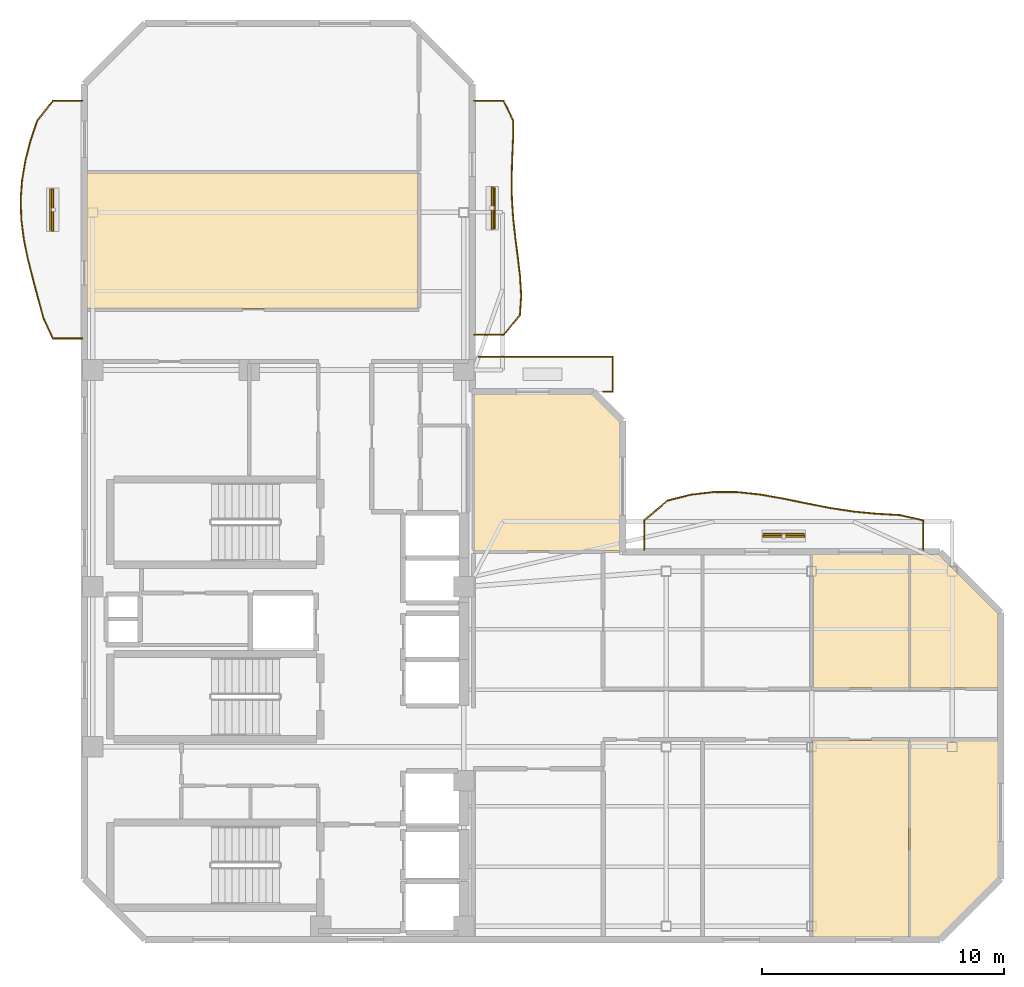
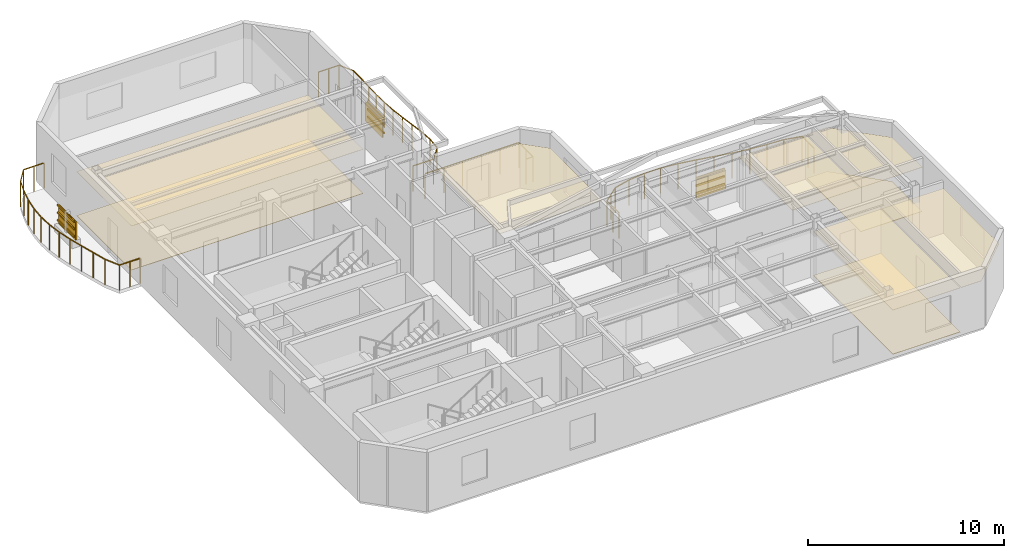
# One storey, part 7 of 8: 12 shading devices, 9 coverings, 6 railings.
"""IFC4 building model written with IfcOpenShell, lengths in metres."""

from ifc_helpers import new_model, si_unit, direction, frame, origin, origin_2d, place, context, subcontext, project, spatial, polyline, rectangle, outline, extrude, material, layer, layer_set, material_profile, profile_set, type_object, element, save


model = new_model("IFC4")

# Units and contexts
model_context = context("Model", 3, precision=1e-05, world=origin(), true_north=direction((0.0, 1.0)))
body_context = subcontext(model_context, "Body", "Model", "MODEL_VIEW")
ifc_project = project(units=[si_unit("LENGTHUNIT", "METRE"), si_unit("AREAUNIT", "SQUARE_METRE"), si_unit("VOLUMEUNIT", "CUBIC_METRE"), si_unit("PLANEANGLEUNIT", "RADIAN"), si_unit("MASSUNIT", "GRAM", prefix="KILO")], contexts=[model_context])

# Site, building, storey
site_placement = place(None, origin())
site = spatial("IfcSite", under=ifc_project, at=site_placement, CompositionType="ELEMENT")
building_placement = place(site_placement, origin())
building = spatial("IfcBuilding", under=site, at=building_placement, Name="Mawjaban Terraces University", CompositionType="ELEMENT")
storey_placement = place(building_placement, frame((0.0, 0.0, 267.699951171875)))
storey = spatial("IfcBuildingStorey", under=building, at=storey_placement, Name="L65", CompositionType="ELEMENT", Elevation=267.699951171875)

# Coverings
ifc_material_1 = material(Name="Acoustic mineral fibre ceiling tile", Category="masonry")
ifc_layer_1 = layer(ifc_material_1, 0.02001953125)
ifc_layer_set_1 = layer_set([ifc_layer_1], Name="Acoustic mineral fibre ceiling tile")
covering_type_1 = type_object("IfcCoveringType", Name="AcousticMineralCeiling_20", PredefinedType="CEILING", material=ifc_layer_set_1)
covering_1_placement = place(storey_placement, frame((0.0, 0.0, 2.75)))
element("IfcCovering", 1, at=covering_1_placement, inside=storey, type_object=covering_type_1, Name="L65 Reading Salon 6 Acoustic Ceiling", PredefinedType="CEILING", context=body_context, shape_type="SweptSolid", body=[
    extrude(outline(polyline([(52.030029296875, 0.114990234375), (55.998046875, 0.114990234375), (55.998046875, 8.219970703125), (52.030029296875, 8.219970703125), (52.030029296875, 0.114990234375)])), origin(), (0.0, 0.0, 1.0), 0.02001953125),
])
covering_2_placement = place(storey_placement, frame((0.0, 0.0, 2.75)))
element("IfcCovering", 2, at=covering_2_placement, inside=storey, type_object=covering_type_1, Name="L65 Academic Counseling Room 7 Acoustic Ceiling", PredefinedType="CEILING", context=body_context, shape_type="SweptSolid", body=[
    extrude(outline(polyline([(55.998046875, 15.885009765625), (52.030029296875, 15.885009765625), (52.030029296875, 10.3798828125), (55.998046875, 10.3798828125), (55.998046875, 15.885009765625)])), origin(), (0.0, 0.0, 1.0), 0.02001953125),
])
covering_3_placement = place(storey_placement, frame((0.0, 0.0, 2.75)))
element("IfcCovering", 3, at=covering_3_placement, inside=storey, type_object=covering_type_1, Name="L65 Academic Counseling Room 8 Acoustic Ceiling", PredefinedType="CEILING", context=body_context, shape_type="SweptSolid", body=[
    extrude(outline(polyline([(56.05810546875, 0.114990234375), (57.2529296875, 0.114990234375), (59.68505859375, 2.547119140625), (59.68505859375, 8.219970703125), (56.05810546875, 8.219970703125), (56.05810546875, 0.114990234375)])), origin(), (0.0, 0.0, 1.0), 0.02001953125),
])
covering_4_placement = place(storey_placement, frame((0.0, 0.0, 2.75)))
element("IfcCovering", 4, at=covering_4_placement, inside=storey, type_object=covering_type_1, Name="L65 Classroom 9 Acoustic Ceiling", PredefinedType="CEILING", context=body_context, shape_type="SweptSolid", body=[
    extrude(outline(polyline([(59.68505859375, 10.3798828125), (59.68505859375, 13.452880859375), (57.2529296875, 15.885009765625), (56.05810546875, 15.885009765625), (56.05810546875, 10.3798828125), (59.68505859375, 10.3798828125)])), origin(), (0.0, 0.0, 1.0), 0.02001953125),
])
covering_5_placement = place(storey_placement, frame((0.0, 0.0, 2.75)))
element("IfcCovering", 5, at=covering_5_placement, inside=storey, type_object=covering_type_1, Name="L65 Seminar Room 10 Acoustic Ceiling", PredefinedType="CEILING", context=body_context, shape_type="SweptSolid", body=[
    extrude(outline(polyline([(22.114990234375, 31.634033203125), (22.114990234375, 26.030029296875), (35.77001953125, 26.030029296875), (35.77001953125, 31.634033203125), (22.114990234375, 31.634033203125)])), origin(), (0.0, 0.0, 1.0), 0.02001953125),
])
covering_6_placement = place(storey_placement, frame((0.0, 0.0, 2.75)))
element("IfcCovering", 6, at=covering_6_placement, inside=storey, type_object=covering_type_1, Name="L65 Terrace Collaborative Study Room Acoustic Ceiling", PredefinedType="CEILING", context=body_context, shape_type="SweptSolid", body=[
    extrude(outline(polyline([(44.0849609375, 16.030029296875), (44.0849609375, 21.35302734375), (42.952880859375, 22.485107421875), (38.080078125, 22.485107421875), (38.080078125, 16.030029296875), (44.0849609375, 16.030029296875)])), origin(), (0.0, 0.0, 1.0), 0.02001953125),
])

# Railings
ifc_material_2 = material(Name="Galvanised powder-coated steel S355", Category="steel")
railing_type = type_object("IfcRailingType", Name="BalconyBalustrade_1600", PredefinedType="BALUSTRADE", material=ifc_material_2)
railing_1_placement = place(storey_placement, frame((21.919921875, 24.800048828125, 0.0)))
element("IfcRailing", 7, at=railing_1_placement, inside=storey, type_object=railing_type, Name="L65 Balcony Guardrail west", PredefinedType="BALUSTRADE", context=body_context, shape_type="SweptSolid", body=[
    extrude(rectangle(XDim=0.048095703125, YDim=0.048095703125, at=origin_2d()), frame((0.0, 0.0, 1.576171875), z_axis=(-1.0, 0.0, 0.0), x_axis=(0.0, -1.0, 0.0)), (0.0, 0.0, 1.0), 1.219970703125),
    extrude(rectangle(XDim=0.048095703125, YDim=0.048095703125, at=origin_2d()), frame((-1.219970703125, 0.0, 1.576171875), z_axis=(-0.425445319845, 0.904984132359, 0.0), x_axis=(-0.904984132359, -0.425445319845, 0.0)), (0.0, 0.0, 1.0), 0.902587890625),
    extrude(rectangle(XDim=0.048095703125, YDim=0.048095703125, at=origin_2d()), frame((-1.60400390625, 0.81689453125, 1.576171875), z_axis=(-0.261308992065, 0.965255204941, 0.0), x_axis=(-0.965255204941, -0.261308992065, 0.0)), (0.0, 0.0, 1.0), 0.845458984375),
    extrude(rectangle(XDim=0.048095703125, YDim=0.048095703125, at=origin_2d()), frame((-1.824951171875, 1.633056640625, 1.576171875), z_axis=(-0.261090681954, 0.965314278252, 0.0), x_axis=(-0.965314278252, -0.261090681954, 0.0)), (0.0, 0.0, 1.0), 0.84619140625),
    extrude(rectangle(XDim=0.048095703125, YDim=0.048095703125, at=origin_2d()), frame((-2.0458984375, 2.449951171875, 1.576171875), z_axis=(-0.244580644679, 0.969628953904, 0.0), x_axis=(-0.969628953904, -0.244580644679, 0.0)), (0.0, 0.0, 1.0), 0.842529296875),
    extrude(rectangle(XDim=0.048095703125, YDim=0.048095703125, at=origin_2d()), frame((-2.251953125, 3.266845703125, 1.576171875), z_axis=(-0.200453772831, 0.979703161656, 0.0), x_axis=(-0.979703161656, -0.200453772831, 0.0)), (0.0, 0.0, 1.0), 0.8330078125),
    extrude(rectangle(XDim=0.048095703125, YDim=0.048095703125, at=origin_2d()), frame((-2.4189453125, 4.0830078125, 1.576171875), z_axis=(-0.126296715249, 0.99199250991, 0.0), x_axis=(-0.99199250991, -0.126296715249, 0.0)), (0.0, 0.0, 1.0), 0.823486328125),
    extrude(rectangle(XDim=0.048095703125, YDim=0.048095703125, at=origin_2d()), frame((-2.52294921875, 4.89990234375, 1.576171875), z_axis=(-0.034338864189, 0.999410247299, 0.0), x_axis=(-0.999410247299, -0.034338864189, 0.0)), (0.0, 0.0, 1.0), 0.817626953125),
    extrude(rectangle(XDim=0.048095703125, YDim=0.048095703125, at=origin_2d()), frame((-2.551025390625, 5.717041015625, 1.576171875), z_axis=(0.071034940463, 0.997473827844, 0.0), x_axis=(-0.997473827844, 0.071034940463, 0.0)), (0.0, 0.0, 1.0), 0.81787109375),
    extrude(rectangle(XDim=0.048095703125, YDim=0.048095703125, at=origin_2d()), frame((-2.492919921875, 6.532958984375, 1.576171875), z_axis=(0.167647038279, 0.985847082745, 0.0), x_axis=(-0.985847082745, 0.167647038279, 0.0)), (0.0, 0.0, 1.0), 0.82861328125),
    extrude(rectangle(XDim=0.048095703125, YDim=0.048095703125, at=origin_2d()), frame((-2.35400390625, 7.349853515625, 1.576171875), z_axis=(0.248862668793, 0.968538781919, 0.0), x_axis=(-0.968538781919, 0.248862668793, 0.0)), (0.0, 0.0, 1.0), 0.84375),
    extrude(rectangle(XDim=0.048095703125, YDim=0.048095703125, at=origin_2d()), frame((-2.14404296875, 8.1669921875, 1.576171875), z_axis=(0.320560963351, 0.947227886401, 0.0), x_axis=(-0.947227886401, 0.320560963351, 0.0)), (0.0, 0.0, 1.0), 0.861328125),
    extrude(rectangle(XDim=0.048095703125, YDim=0.048095703125, at=origin_2d()), frame((-1.867919921875, 8.98291015625, 1.576171875), z_axis=(0.621320374913, 0.783556629554, 0.0), x_axis=(-0.783556629554, 0.621320374913, 0.0)), (0.0, 0.0, 1.0), 1.04296875),
    extrude(rectangle(XDim=0.048095703125, YDim=0.048095703125, at=origin_2d()), frame((-1.219970703125, 9.800048828125, 1.576171875), z_axis=(1.0, 0.0, 0.0), x_axis=(0.0, 1.0, 0.0)), (0.0, 0.0, 1.0), 1.219970703125),
    extrude(rectangle(XDim=0.0419921875, YDim=0.0419921875, at=origin_2d()), origin(), (0.0, 0.0, 1.0), 1.552001953125),
    extrude(rectangle(XDim=0.0419921875, YDim=0.0419921875, at=origin_2d()), frame((-0.60986328125, 0.0, 0.0)), (0.0, 0.0, 1.0), 1.552001953125),
    extrude(rectangle(XDim=0.0419921875, YDim=0.0419921875, at=origin_2d()), frame((-1.219970703125, 0.0, 0.0)), (0.0, 0.0, 1.0), 1.552001953125),
    extrude(rectangle(XDim=0.0419921875, YDim=0.0419921875, at=origin_2d()), frame((-1.60400390625, 0.81689453125, 0.0)), (0.0, 0.0, 1.0), 1.552001953125),
    extrude(rectangle(XDim=0.0419921875, YDim=0.0419921875, at=origin_2d()), frame((-1.824951171875, 1.633056640625, 0.0)), (0.0, 0.0, 1.0), 1.552001953125),
    extrude(rectangle(XDim=0.0419921875, YDim=0.0419921875, at=origin_2d()), frame((-2.0458984375, 2.449951171875, 0.0)), (0.0, 0.0, 1.0), 1.552001953125),
    extrude(rectangle(XDim=0.0419921875, YDim=0.0419921875, at=origin_2d()), frame((-2.251953125, 3.266845703125, 0.0)), (0.0, 0.0, 1.0), 1.552001953125),
    extrude(rectangle(XDim=0.0419921875, YDim=0.0419921875, at=origin_2d()), frame((-2.4189453125, 4.0830078125, 0.0)), (0.0, 0.0, 1.0), 1.552001953125),
    extrude(rectangle(XDim=0.0419921875, YDim=0.0419921875, at=origin_2d()), frame((-2.52294921875, 4.89990234375, 0.0)), (0.0, 0.0, 1.0), 1.552001953125),
    extrude(rectangle(XDim=0.0419921875, YDim=0.0419921875, at=origin_2d()), frame((-2.551025390625, 5.717041015625, 0.0)), (0.0, 0.0, 1.0), 1.552001953125),
    extrude(rectangle(XDim=0.0419921875, YDim=0.0419921875, at=origin_2d()), frame((-2.492919921875, 6.532958984375, 0.0)), (0.0, 0.0, 1.0), 1.552001953125),
    extrude(rectangle(XDim=0.0419921875, YDim=0.0419921875, at=origin_2d()), frame((-2.35400390625, 7.349853515625, 0.0)), (0.0, 0.0, 1.0), 1.552001953125),
    extrude(rectangle(XDim=0.0419921875, YDim=0.0419921875, at=origin_2d()), frame((-2.14404296875, 8.1669921875, 0.0)), (0.0, 0.0, 1.0), 1.552001953125),
    extrude(rectangle(XDim=0.0419921875, YDim=0.0419921875, at=origin_2d()), frame((-1.867919921875, 8.98291015625, 0.0)), (0.0, 0.0, 1.0), 1.552001953125),
    extrude(rectangle(XDim=0.0419921875, YDim=0.0419921875, at=origin_2d()), frame((-1.219970703125, 9.800048828125, 0.0)), (0.0, 0.0, 1.0), 1.552001953125),
    extrude(rectangle(XDim=0.0419921875, YDim=0.0419921875, at=origin_2d()), frame((-0.60986328125, 9.800048828125, 0.0)), (0.0, 0.0, 1.0), 1.552001953125),
    extrude(rectangle(XDim=0.0419921875, YDim=0.0419921875, at=origin_2d()), frame((0.0, 9.800048828125, 0.0)), (0.0, 0.0, 1.0), 1.552001953125),
])
railing_2_placement = place(storey_placement, frame((45.10009765625, 16.080078125, 0.0)))
element("IfcRailing", 8, at=railing_2_placement, inside=storey, type_object=railing_type, Name="L65 Balcony Guardrail inner_north", PredefinedType="BALUSTRADE", context=body_context, shape_type="SweptSolid", body=[
    extrude(rectangle(XDim=0.048095703125, YDim=0.048095703125, at=origin_2d()), frame((0.0, 0.0, 1.576171875), z_axis=(0.0, 1.0, 0.0), x_axis=(-1.0, 0.0, 0.0)), (0.0, 0.0, 1.0), 1.219970703125),
    extrude(rectangle(XDim=0.048095703125, YDim=0.048095703125, at=origin_2d()), frame((0.0, 1.219970703125, 1.576171875), z_axis=(0.761690213791, 0.647941369427, 0.0), x_axis=(-0.647941369427, 0.761690213791, 0.0)), (0.0, 0.0, 1.0), 1.2578125),
    extrude(rectangle(XDim=0.048095703125, YDim=0.048095703125, at=origin_2d()), frame((0.9580078125, 2.034912109375, 1.576171875), z_axis=(0.96914755637, 0.246481264973, 0.0), x_axis=(-0.246481264973, 0.96914755637, 0.0)), (0.0, 0.0, 1.0), 0.989501953125),
    extrude(rectangle(XDim=0.048095703125, YDim=0.048095703125, at=origin_2d()), frame((1.9169921875, 2.27880859375, 1.576171875), z_axis=(0.993344476803, 0.115181380465, 0.0), x_axis=(-0.115181380465, 0.993344476803, 0.0)), (0.0, 0.0, 1.0), 0.96435546875),
    extrude(rectangle(XDim=0.048095703125, YDim=0.048095703125, at=origin_2d()), frame((2.875, 2.389892578125, 1.576171875), z_axis=(0.999981296525, -0.006116093557, 0.0), x_axis=(0.006116093557, 0.999981296525, 0.0)), (0.0, 0.0, 1.0), 0.9580078125),
    extrude(rectangle(XDim=0.048095703125, YDim=0.048095703125, at=origin_2d()), frame((3.8330078125, 2.384033203125, 1.576171875), z_axis=(0.994385513116, -0.105818010306, 0.0), x_axis=(0.105818010306, 0.994385513116, 0.0)), (0.0, 0.0, 1.0), 0.96435546875),
    extrude(rectangle(XDim=0.048095703125, YDim=0.048095703125, at=origin_2d()), frame((4.7919921875, 2.281982421875, 1.576171875), z_axis=(0.984803764455, -0.173670796382, 0.0), x_axis=(0.173670796382, 0.984803764455, 0.0)), (0.0, 0.0, 1.0), 0.972900390625),
    extrude(rectangle(XDim=0.048095703125, YDim=0.048095703125, at=origin_2d()), frame((5.75, 2.113037109375, 1.576171875), z_axis=(0.979500522335, -0.201441621184, 0.0), x_axis=(0.201441621184, 0.979500522335, 0.0)), (0.0, 0.0, 1.0), 0.97802734375),
    extrude(rectangle(XDim=0.048095703125, YDim=0.048095703125, at=origin_2d()), frame((6.7080078125, 1.916015625, 1.576171875), z_axis=(0.98151120644, -0.191404680278, 0.0), x_axis=(0.191404680278, 0.98151120644, 0.0)), (0.0, 0.0, 1.0), 0.97705078125),
    extrude(rectangle(XDim=0.048095703125, YDim=0.048095703125, at=origin_2d()), frame((7.6669921875, 1.72900390625, 1.576171875), z_axis=(0.988586231557, -0.150656107663, 0.0), x_axis=(0.150656107663, 0.988586231557, 0.0)), (0.0, 0.0, 1.0), 0.968994140625),
    extrude(rectangle(XDim=0.048095703125, YDim=0.048095703125, at=origin_2d()), frame((8.625, 1.5830078125, 1.576171875), z_axis=(0.99531936855, -0.096640336243, 0.0), x_axis=(0.096640336243, 0.99531936855, 0.0)), (0.0, 0.0, 1.0), 0.96240234375),
    extrude(rectangle(XDim=0.048095703125, YDim=0.048095703125, at=origin_2d()), frame((9.5830078125, 1.489990234375, 1.576171875), z_axis=(0.998477512205, -0.055160290262, 0.0), x_axis=(0.055160290262, 0.998477512205, 0.0)), (0.0, 0.0, 1.0), 0.96044921875),
    extrude(rectangle(XDim=0.048095703125, YDim=0.048095703125, at=origin_2d()), frame((10.5419921875, 1.43701171875, 1.576171875), z_axis=(0.975284000494, -0.220955014383, 0.0), x_axis=(0.220955014383, 0.975284000494, 0.0)), (0.0, 0.0, 1.0), 0.982177734375),
    extrude(rectangle(XDim=0.048095703125, YDim=0.048095703125, at=origin_2d()), frame((11.5, 1.219970703125, 1.576171875), z_axis=(0.0, -1.0, 0.0), x_axis=(1.0, 0.0, 0.0)), (0.0, 0.0, 1.0), 1.219970703125),
    extrude(rectangle(XDim=0.0419921875, YDim=0.0419921875, at=origin_2d()), origin(), (0.0, 0.0, 1.0), 1.552001953125),
    extrude(rectangle(XDim=0.0419921875, YDim=0.0419921875, at=origin_2d()), frame((0.0, 0.60986328125, 0.0)), (0.0, 0.0, 1.0), 1.552001953125),
    extrude(rectangle(XDim=0.0419921875, YDim=0.0419921875, at=origin_2d()), frame((0.0, 1.219970703125, 0.0)), (0.0, 0.0, 1.0), 1.552001953125),
    extrude(rectangle(XDim=0.0419921875, YDim=0.0419921875, at=origin_2d()), frame((0.47900390625, 1.62744140625, 0.0)), (0.0, 0.0, 1.0), 1.552001953125),
    extrude(rectangle(XDim=0.0419921875, YDim=0.0419921875, at=origin_2d()), frame((0.9580078125, 2.034912109375, 0.0)), (0.0, 0.0, 1.0), 1.552001953125),
    extrude(rectangle(XDim=0.0419921875, YDim=0.0419921875, at=origin_2d()), frame((1.9169921875, 2.27880859375, 0.0)), (0.0, 0.0, 1.0), 1.552001953125),
    extrude(rectangle(XDim=0.0419921875, YDim=0.0419921875, at=origin_2d()), frame((2.875, 2.389892578125, 0.0)), (0.0, 0.0, 1.0), 1.552001953125),
    extrude(rectangle(XDim=0.0419921875, YDim=0.0419921875, at=origin_2d()), frame((3.8330078125, 2.384033203125, 0.0)), (0.0, 0.0, 1.0), 1.552001953125),
    extrude(rectangle(XDim=0.0419921875, YDim=0.0419921875, at=origin_2d()), frame((4.7919921875, 2.281982421875, 0.0)), (0.0, 0.0, 1.0), 1.552001953125),
    extrude(rectangle(XDim=0.0419921875, YDim=0.0419921875, at=origin_2d()), frame((5.75, 2.113037109375, 0.0)), (0.0, 0.0, 1.0), 1.552001953125),
    extrude(rectangle(XDim=0.0419921875, YDim=0.0419921875, at=origin_2d()), frame((6.7080078125, 1.916015625, 0.0)), (0.0, 0.0, 1.0), 1.552001953125),
    extrude(rectangle(XDim=0.0419921875, YDim=0.0419921875, at=origin_2d()), frame((7.6669921875, 1.72900390625, 0.0)), (0.0, 0.0, 1.0), 1.552001953125),
    extrude(rectangle(XDim=0.0419921875, YDim=0.0419921875, at=origin_2d()), frame((8.625, 1.5830078125, 0.0)), (0.0, 0.0, 1.0), 1.552001953125),
    extrude(rectangle(XDim=0.0419921875, YDim=0.0419921875, at=origin_2d()), frame((9.5830078125, 1.489990234375, 0.0)), (0.0, 0.0, 1.0), 1.552001953125),
    extrude(rectangle(XDim=0.0419921875, YDim=0.0419921875, at=origin_2d()), frame((10.5419921875, 1.43701171875, 0.0)), (0.0, 0.0, 1.0), 1.552001953125),
    extrude(rectangle(XDim=0.0419921875, YDim=0.0419921875, at=origin_2d()), frame((11.5, 1.219970703125, 0.0)), (0.0, 0.0, 1.0), 1.552001953125),
    extrude(rectangle(XDim=0.0419921875, YDim=0.0419921875, at=origin_2d()), frame((11.5, 0.60986328125, 0.0)), (0.0, 0.0, 1.0), 1.552001953125),
    extrude(rectangle(XDim=0.0419921875, YDim=0.0419921875, at=origin_2d()), frame((11.5, 0.0, 0.0)), (0.0, 0.0, 1.0), 1.552001953125),
])
railing_3_placement = place(storey_placement, frame((38.080078125, 24.949951171875, 0.0)))
element("IfcRailing", 9, at=railing_3_placement, inside=storey, type_object=railing_type, Name="L65 Balcony Guardrail inner_east", PredefinedType="BALUSTRADE", context=body_context, shape_type="SweptSolid", body=[
    extrude(rectangle(XDim=0.048095703125, YDim=0.048095703125, at=origin_2d()), frame((0.0, 0.0, 1.576171875), z_axis=(1.0, 0.0, 0.0), x_axis=(0.0, 1.0, 0.0)), (0.0, 0.0, 1.0), 1.219970703125),
    extrude(rectangle(XDim=0.048095703125, YDim=0.048095703125, at=origin_2d()), frame((1.219970703125, 0.0, 1.576171875), z_axis=(0.639057963086, 0.769158579109, 0.0), x_axis=(-0.769158579109, 0.639057963086, 0.0)), (0.0, 0.0, 1.0), 1.045166015625),
    extrude(rectangle(XDim=0.048095703125, YDim=0.048095703125, at=origin_2d()), frame((1.887939453125, 0.803955078125, 1.576171875), z_axis=(0.068147218316, 0.997675276147, 0.0), x_axis=(-0.997675276147, 0.068147218316, 0.0)), (0.0, 0.0, 1.0), 0.80615234375),
    extrude(rectangle(XDim=0.048095703125, YDim=0.048095703125, at=origin_2d()), frame((1.94287109375, 1.608154296875, 1.576171875), z_axis=(-0.059343214179, 0.998237638506, 0.0), x_axis=(-0.998237638506, -0.059343214179, 0.0)), (0.0, 0.0, 1.0), 0.806396484375),
    extrude(rectangle(XDim=0.048095703125, YDim=0.048095703125, at=origin_2d()), frame((1.89501953125, 2.4130859375, 1.576171875), z_axis=(-0.116123711408, 0.993234757572, 0.0), x_axis=(-0.993234757572, -0.116123711408, 0.0)), (0.0, 0.0, 1.0), 0.809326171875),
    extrude(rectangle(XDim=0.048095703125, YDim=0.048095703125, at=origin_2d()), frame((1.801025390625, 3.217041015625, 1.576171875), z_axis=(-0.128296231239, 0.991735890774, 0.0), x_axis=(-0.991735890774, -0.128296231239, 0.0)), (0.0, 0.0, 1.0), 0.810546875),
    extrude(rectangle(XDim=0.048095703125, YDim=0.048095703125, at=origin_2d()), frame((1.697021484375, 4.02099609375, 1.576171875), z_axis=(-0.1077802559, 0.9941747414, 0.0), x_axis=(-0.9941747414, -0.1077802559, 0.0)), (0.0, 0.0, 1.0), 0.80859375),
    extrude(rectangle(XDim=0.048095703125, YDim=0.048095703125, at=origin_2d()), frame((1.60986328125, 4.824951171875, 1.576171875), z_axis=(-0.06332136504, 0.997993188719, 0.0), x_axis=(-0.997993188719, -0.06332136504, 0.0)), (0.0, 0.0, 1.0), 0.805908203125),
    extrude(rectangle(XDim=0.048095703125, YDim=0.048095703125, at=origin_2d()), frame((1.558837890625, 5.629150390625, 1.576171875), z_axis=(-0.013664074977, 0.99990664217, 0.0), x_axis=(-0.99990664217, -0.013664074977, 0.0)), (0.0, 0.0, 1.0), 0.803955078125),
    extrude(rectangle(XDim=0.048095703125, YDim=0.048095703125, at=origin_2d()), frame((1.5478515625, 6.43310546875, 1.576171875), z_axis=(0.028499186738, 0.999593815685, 0.0), x_axis=(-0.999593815685, 0.028499186738, 0.0)), (0.0, 0.0, 1.0), 0.80517578125),
    extrude(rectangle(XDim=0.048095703125, YDim=0.048095703125, at=origin_2d()), frame((1.57080078125, 7.238037109375, 1.576171875), z_axis=(0.043687372044, 0.999045250989, 0.0), x_axis=(-0.999045250989, 0.043687372044, 0.0)), (0.0, 0.0, 1.0), 0.8046875),
    extrude(rectangle(XDim=0.048095703125, YDim=0.048095703125, at=origin_2d()), frame((1.60595703125, 8.0419921875, 1.576171875), z_axis=(0.002429388519, 0.999997049031, 0.0), x_axis=(-0.999997049031, 0.002429388519, 0.0)), (0.0, 0.0, 1.0), 0.803955078125),
    extrude(rectangle(XDim=0.048095703125, YDim=0.048095703125, at=origin_2d()), frame((1.60791015625, 8.845947265625, 1.576171875), z_axis=(-0.434481416756, 0.900680797227, 0.0), x_axis=(-0.900680797227, -0.434481416756, 0.0)), (0.0, 0.0, 1.0), 0.892822265625),
    extrude(rectangle(XDim=0.048095703125, YDim=0.048095703125, at=origin_2d()), frame((1.219970703125, 9.650146484375, 1.576171875), z_axis=(-1.0, 0.0, 0.0), x_axis=(0.0, -1.0, 0.0)), (0.0, 0.0, 1.0), 1.219970703125),
    extrude(rectangle(XDim=0.0419921875, YDim=0.0419921875, at=origin_2d()), origin(), (0.0, 0.0, 1.0), 1.552001953125),
    extrude(rectangle(XDim=0.0419921875, YDim=0.0419921875, at=origin_2d()), frame((0.60986328125, 0.0, 0.0)), (0.0, 0.0, 1.0), 1.552001953125),
    extrude(rectangle(XDim=0.0419921875, YDim=0.0419921875, at=origin_2d()), frame((1.219970703125, 0.0, 0.0)), (0.0, 0.0, 1.0), 1.552001953125),
    extrude(rectangle(XDim=0.0419921875, YDim=0.0419921875, at=origin_2d()), frame((1.887939453125, 0.803955078125, 0.0)), (0.0, 0.0, 1.0), 1.552001953125),
    extrude(rectangle(XDim=0.0419921875, YDim=0.0419921875, at=origin_2d()), frame((1.94287109375, 1.608154296875, 0.0)), (0.0, 0.0, 1.0), 1.552001953125),
    extrude(rectangle(XDim=0.0419921875, YDim=0.0419921875, at=origin_2d()), frame((1.89501953125, 2.4130859375, 0.0)), (0.0, 0.0, 1.0), 1.552001953125),
    extrude(rectangle(XDim=0.0419921875, YDim=0.0419921875, at=origin_2d()), frame((1.801025390625, 3.217041015625, 0.0)), (0.0, 0.0, 1.0), 1.552001953125),
    extrude(rectangle(XDim=0.0419921875, YDim=0.0419921875, at=origin_2d()), frame((1.697021484375, 4.02099609375, 0.0)), (0.0, 0.0, 1.0), 1.552001953125),
    extrude(rectangle(XDim=0.0419921875, YDim=0.0419921875, at=origin_2d()), frame((1.60986328125, 4.824951171875, 0.0)), (0.0, 0.0, 1.0), 1.552001953125),
    extrude(rectangle(XDim=0.0419921875, YDim=0.0419921875, at=origin_2d()), frame((1.558837890625, 5.629150390625, 0.0)), (0.0, 0.0, 1.0), 1.552001953125),
    extrude(rectangle(XDim=0.0419921875, YDim=0.0419921875, at=origin_2d()), frame((1.5478515625, 6.43310546875, 0.0)), (0.0, 0.0, 1.0), 1.552001953125),
    extrude(rectangle(XDim=0.0419921875, YDim=0.0419921875, at=origin_2d()), frame((1.57080078125, 7.238037109375, 0.0)), (0.0, 0.0, 1.0), 1.552001953125),
    extrude(rectangle(XDim=0.0419921875, YDim=0.0419921875, at=origin_2d()), frame((1.60595703125, 8.0419921875, 0.0)), (0.0, 0.0, 1.0), 1.552001953125),
    extrude(rectangle(XDim=0.0419921875, YDim=0.0419921875, at=origin_2d()), frame((1.60791015625, 8.845947265625, 0.0)), (0.0, 0.0, 1.0), 1.552001953125),
    extrude(rectangle(XDim=0.0419921875, YDim=0.0419921875, at=origin_2d()), frame((1.219970703125, 9.650146484375, 0.0)), (0.0, 0.0, 1.0), 1.552001953125),
    extrude(rectangle(XDim=0.0419921875, YDim=0.0419921875, at=origin_2d()), frame((0.60986328125, 9.650146484375, 0.0)), (0.0, 0.0, 1.0), 1.552001953125),
    extrude(rectangle(XDim=0.0419921875, YDim=0.0419921875, at=origin_2d()), frame((0.0, 9.650146484375, 0.0)), (0.0, 0.0, 1.0), 1.552001953125),
])
railing_4_placement = place(storey_placement, frame((43.39599609375, 22.60009765625, 0.0)))
element("IfcRailing", 10, at=railing_4_placement, inside=storey, type_object=railing_type, Name="L65 Terrace Guardrail TER-L65-CLIMB.1", PredefinedType="BALUSTRADE", context=body_context, shape_type="SweptSolid", body=[
    extrude(rectangle(XDim=0.048095703125, YDim=0.048095703125, at=origin_2d()), frame((0.0, 0.0, 1.576171875), z_axis=(1.0, 0.0, 0.0), x_axis=(0.0, 1.0, 0.0)), (0.0, 0.0, 1.0), 0.404052734375),
    extrude(rectangle(XDim=0.0419921875, YDim=0.0419921875, at=origin_2d()), origin(), (0.0, 0.0, 1.0), 1.552001953125),
    extrude(rectangle(XDim=0.0419921875, YDim=0.0419921875, at=origin_2d()), frame((0.404052734375, 0.0, 0.0)), (0.0, 0.0, 1.0), 1.552001953125),
])
railing_5_placement = place(storey_placement, frame((43.800048828125, 22.60009765625, 0.0)))
element("IfcRailing", 11, at=railing_5_placement, inside=storey, type_object=railing_type, Name="L65 Terrace Guardrail TER-L65-CLIMB.2", PredefinedType="BALUSTRADE", context=body_context, shape_type="SweptSolid", body=[
    extrude(rectangle(XDim=0.048095703125, YDim=0.048095703125, at=origin_2d()), frame((0.0, 0.0, 1.576171875), z_axis=(0.0, 1.0, 0.0), x_axis=(-1.0, 0.0, 0.0)), (0.0, 0.0, 1.0), 1.449951171875),
    extrude(rectangle(XDim=0.0419921875, YDim=0.0419921875, at=origin_2d()), origin(), (0.0, 0.0, 1.0), 1.552001953125),
    extrude(rectangle(XDim=0.0419921875, YDim=0.0419921875, at=origin_2d()), frame((0.0, 0.72509765625, 0.0)), (0.0, 0.0, 1.0), 1.552001953125),
    extrude(rectangle(XDim=0.0419921875, YDim=0.0419921875, at=origin_2d()), frame((0.0, 1.449951171875, 0.0)), (0.0, 0.0, 1.0), 1.552001953125),
])
railing_6_placement = place(storey_placement, frame((43.800048828125, 24.050048828125, 0.0)))
element("IfcRailing", 12, at=railing_6_placement, inside=storey, type_object=railing_type, Name="L65 Terrace Guardrail TER-L65-CLIMB.3", PredefinedType="BALUSTRADE", context=body_context, shape_type="SweptSolid", body=[
    extrude(rectangle(XDim=0.048095703125, YDim=0.048095703125, at=origin_2d()), frame((0.0, 0.0, 1.576171875), z_axis=(-1.0, 0.0, 0.0), x_axis=(0.0, -1.0, 0.0)), (0.0, 0.0, 1.0), 5.52001953125),
    extrude(rectangle(XDim=0.0419921875, YDim=0.0419921875, at=origin_2d()), origin(), (0.0, 0.0, 1.0), 1.552001953125),
    extrude(rectangle(XDim=0.0419921875, YDim=0.0419921875, at=origin_2d()), frame((-1.10400390625, 0.0, 0.0)), (0.0, 0.0, 1.0), 1.552001953125),
    extrude(rectangle(XDim=0.0419921875, YDim=0.0419921875, at=origin_2d()), frame((-2.2080078125, 0.0, 0.0)), (0.0, 0.0, 1.0), 1.552001953125),
    extrude(rectangle(XDim=0.0419921875, YDim=0.0419921875, at=origin_2d()), frame((-3.31201171875, 0.0, 0.0)), (0.0, 0.0, 1.0), 1.552001953125),
    extrude(rectangle(XDim=0.0419921875, YDim=0.0419921875, at=origin_2d()), frame((-4.416015625, 0.0, 0.0)), (0.0, 0.0, 1.0), 1.552001953125),
    extrude(rectangle(XDim=0.0419921875, YDim=0.0419921875, at=origin_2d()), frame((-5.52001953125, 0.0, 0.0)), (0.0, 0.0, 1.0), 1.552001953125),
])

# Shading devices
ifc_material_3 = material(Name="Glazed architectural terracotta ceramic", Category="masonry")
ifc_material_profile = material_profile(ifc_material_3, rectangle(XDim=0.06494140625, YDim=0.110107421875, at=origin_2d()), Name="TBAG110X65")
ifc_profile_set = profile_set([ifc_material_profile], Name="Glazed architectural terracotta ceramic")
shading_device_type_1 = type_object("IfcShadingDeviceType", Name="TerracottaBaguette_110x65", PredefinedType="USERDEFINED", material=ifc_profile_set)
for number, where, z_axis, x_axis, name in (
    (13, (20.612060546875, 29.258056640625, 0.679931640625), (0.0, 1.0, 0.0), (-1.0, 0.0, 0.0), "L65 Horizontal Terracotta Baguette west.1"),
    (14, (20.612060546875, 29.258056640625, 1.150146484375), (0.0, 1.0, 0.0), (-1.0, 0.0, 0.0), "L65 Horizontal Terracotta Baguette west.2"),
    (15, (20.612060546875, 29.258056640625, 1.6201171875), (0.0, 1.0, 0.0), (-1.0, 0.0, 0.0), "L65 Horizontal Terracotta Baguette west.3"),
    (16, (50.0, 16.72998046875, 0.679931640625), (1.0, 0.0, 0.0), (0.0, 1.0, 0.0), "L65 Horizontal Terracotta Baguette inner_north.1"),
    (17, (50.0, 16.72998046875, 1.150146484375), (1.0, 0.0, 0.0), (0.0, 1.0, 0.0), "L65 Horizontal Terracotta Baguette inner_north.2"),
    (18, (50.0, 16.72998046875, 1.6201171875), (1.0, 0.0, 0.0), (0.0, 1.0, 0.0), "L65 Horizontal Terracotta Baguette inner_north.3"),
):
    element("IfcShadingDevice", number, at=place(storey_placement, frame(where, z_axis=z_axis, x_axis=x_axis)), inside=storey, type_object=shading_device_type_1, Name=name, ObjectType="BAGUETTE", PredefinedType="USERDEFINED", context=body_context, shape_type="SweptSolid", body=[
        extrude(rectangle(XDim=0.06494140625, YDim=0.110107421875, at=origin_2d()), origin(), (0.0, 0.0, 1.0), 1.699951171875),
    ])
for number, where, z_axis, x_axis, name in (
    (19, (38.912109375, 29.326904296875, 0.679931640625), (0.0, 1.0, 0.0), (-1.0, 0.0, 0.0), "L65 Horizontal Terracotta Baguette inner_east.1"),
    (20, (38.912109375, 29.326904296875, 1.150146484375), (0.0, 1.0, 0.0), (-1.0, 0.0, 0.0), "L65 Horizontal Terracotta Baguette inner_east.2"),
    (21, (38.912109375, 29.326904296875, 1.6201171875), (0.0, 1.0, 0.0), (-1.0, 0.0, 0.0), "L65 Horizontal Terracotta Baguette inner_east.3"),
):
    element("IfcShadingDevice", number, at=place(storey_placement, frame(where, z_axis=z_axis, x_axis=x_axis)), inside=storey, type_object=shading_device_type_1, Name=name, ObjectType="BAGUETTE", PredefinedType="USERDEFINED", context=body_context, shape_type="SweptSolid", body=[
        extrude(rectangle(XDim=0.06494140625, YDim=0.110107421875, at=origin_2d()), origin(), (0.0, 0.0, 1.0), 1.7001953125),
    ])
ifc_layer_2 = layer(ifc_material_3, 0.080078125)
ifc_layer_set_2 = layer_set([ifc_layer_2], Name="Glazed architectural terracotta ceramic")
shading_device_type_2 = type_object("IfcShadingDeviceType", Name="TerracottaScreen_Perforated", PredefinedType="USERDEFINED", material=ifc_layer_set_2)
for number, where, z_axis, x_axis, name in (
    (22, (20.697021484375, 30.10791015625, 0.440185546875), (0.0, 0.0, 1.0), (0.0, 1.0, 0.0), "L65 Balcony Perforated Terracotta Screen west"),
    (23, (50.85009765625, 16.64501953125, 0.440185546875), (0.0, 0.0, 1.0), (1.0, 0.0, 0.0), "L65 Balcony Perforated Terracotta Screen inner_north"),
    (24, (38.826904296875, 30.177001953125, 0.440185546875), (0.0, 0.0, 1.0), (0.0, 1.0, 0.0), "L65 Balcony Perforated Terracotta Screen inner_east"),
):
    element("IfcShadingDevice", number, at=place(storey_placement, frame(where, z_axis=z_axis, x_axis=x_axis)), inside=storey, type_object=shading_device_type_2, Name=name, ObjectType="SCREEN", PredefinedType="USERDEFINED", context=body_context, shape_type="SweptSolid", body=[
        extrude(rectangle(XDim=1.75, YDim=0.080078125, at=origin_2d()), origin(), (0.0, 0.0, 1.0), 1.14990234375),
    ])

# Coverings
ifc_material_4 = material(Name="Polished Hijazi granite terrazzo flooring", Category="masonry")
ifc_layer_3 = layer(ifc_material_4, 0.02490234375)
ifc_layer_set_3 = layer_set([ifc_layer_3], Name="Polished Hijazi granite terrazzo flooring")
covering_type_2 = type_object("IfcCoveringType", Name="TerrazzoConcourseFlooring_25", PredefinedType="FLOORING", material=ifc_layer_set_3)
covering_7_placement = place(storey_placement, origin())
element("IfcCovering", 25, at=covering_7_placement, inside=storey, type_object=covering_type_2, Name="L65 Reading Salon 6 Terrazzo Flooring", PredefinedType="FLOORING", context=body_context, shape_type="SweptSolid", body=[
    extrude(outline(polyline([(52.030029296875, 0.114990234375), (55.998046875, 0.114990234375), (55.998046875, 8.219970703125), (52.030029296875, 8.219970703125), (52.030029296875, 0.114990234375)])), origin(), (0.0, 0.0, 1.0), 0.025146484375),
])
covering_8_placement = place(storey_placement, origin())
element("IfcCovering", 26, at=covering_8_placement, inside=storey, type_object=covering_type_2, Name="L65 Classroom 9 Terrazzo Flooring", PredefinedType="FLOORING", context=body_context, shape_type="SweptSolid", body=[
    extrude(outline(polyline([(59.68505859375, 10.3798828125), (59.68505859375, 13.452880859375), (57.2529296875, 15.885009765625), (56.05810546875, 15.885009765625), (56.05810546875, 10.3798828125), (59.68505859375, 10.3798828125)])), origin(), (0.0, 0.0, 1.0), 0.025146484375),
])
covering_9_placement = place(storey_placement, origin())
element("IfcCovering", 27, at=covering_9_placement, inside=storey, type_object=covering_type_2, Name="L65 Seminar Room 10 Terrazzo Flooring", PredefinedType="FLOORING", context=body_context, shape_type="SweptSolid", body=[
    extrude(outline(polyline([(22.114990234375, 31.634033203125), (22.114990234375, 26.030029296875), (35.77001953125, 26.030029296875), (35.77001953125, 31.634033203125), (22.114990234375, 31.634033203125)])), origin(), (0.0, 0.0, 1.0), 0.025146484375),
])

save(model, "model.ifc")
